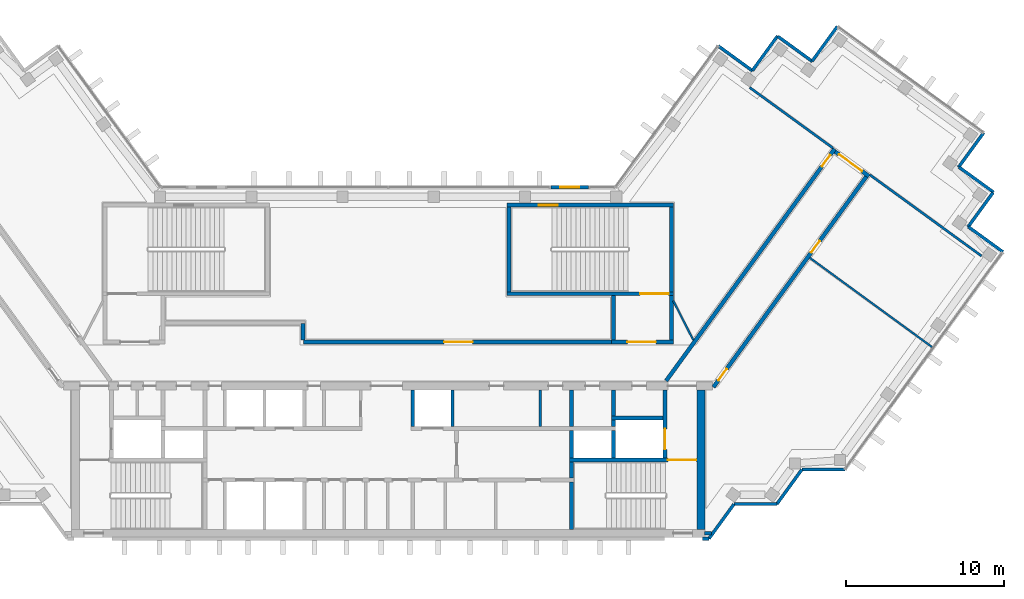
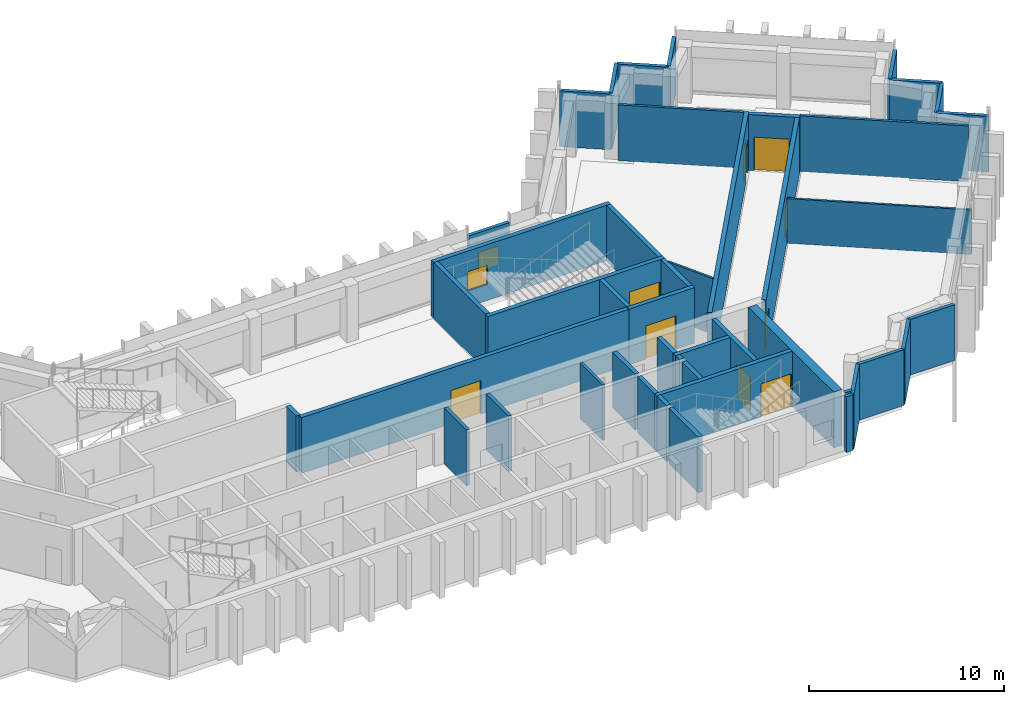
# One storey, part 10 of 13: 45 walls, 9 doors, 2 windows, 11 openings.
"""IFC4 building model written with IfcOpenShell, lengths in metres."""

from ifc_helpers import new_model, si_unit, direction, frame, frame_2d, origin, place, context, subcontext, project, spatial, rectangle, extrude, material, layer, layer_set, type_object, element, fill, save


model = new_model("IFC4")

# Units and contexts
model_context = context("Model", 3, precision=1e-05, world=origin(), true_north=direction((0.0, 1.0)))
body_context = subcontext(model_context, "Body", "Model", "MODEL_VIEW")
ifc_project = project(units=[si_unit("LENGTHUNIT", "METRE"), si_unit("AREAUNIT", "SQUARE_METRE"), si_unit("VOLUMEUNIT", "CUBIC_METRE"), si_unit("PLANEANGLEUNIT", "RADIAN"), si_unit("MASSUNIT", "GRAM", prefix="KILO")], contexts=[model_context])

# Site, building, storey
site_placement = place(None, origin())
site = spatial("IfcSite", under=ifc_project, at=site_placement, CompositionType="ELEMENT")
building_placement = place(site_placement, origin())
building = spatial("IfcBuilding", under=site, at=building_placement, Name="Quipu Civic Tower", CompositionType="ELEMENT")
storey_placement = place(building_placement, frame((0.0, 0.0, 269.0)))
storey = spatial("IfcBuildingStorey", under=building, at=storey_placement, Name="L63", CompositionType="ELEMENT", Elevation=269.0)

# Walls
ifc_material_1 = material(Name="Double gypsum plasterboard with mineral wool")
ifc_layer_1 = layer(ifc_material_1, 0.14990234375)
ifc_layer_set_1 = layer_set([ifc_layer_1], Name="Double gypsum plasterboard with mineral wool")
wall_type_1 = type_object("IfcWallType", Name="Acoustic partition 150 plasterboard", PredefinedType="PARTITIONING", material=ifc_layer_set_1)
wall_1_placement = place(storey_placement, frame((28.0732421875, 13.577880859375, 0.0), z_axis=(0.0, 0.0, 1.0), x_axis=(-0.809000932727, 0.587807358619, 0.0)))
element("IfcWall", 1, at=wall_1_placement, inside=storey, type_object=wall_type_1, Name="Partition P01", PredefinedType="PARTITIONING", context=body_context, shape_type="SweptSolid", body=[
    extrude(rectangle(XDim=6.49560546875, YDim=0.14990234375, at=frame_2d((3.247802734375, 0.0))), origin(), (0.0, 0.0, 1.0), 3.5),
])
wall_2_placement = place(storey_placement, frame((37.4580078125, 6.759765625, 0.0), z_axis=(0.0, 0.0, 1.0), x_axis=(-0.809016295501, 0.587786214209, 0.0)))
element("IfcWall", 2, at=wall_2_placement, inside=storey, type_object=wall_type_1, Name="Partition P02", PredefinedType="PARTITIONING", context=body_context, shape_type="SweptSolid", body=[
    extrude(rectangle(XDim=8.700439453125, YDim=0.14990234375, at=frame_2d((4.35009765625, 0.0))), origin(), (0.0, 0.0, 1.0), 3.5),
])
ifc_material_2 = material(Name="Concrete C70/85", Category="concrete")
ifc_layer_2 = layer(ifc_material_2, 0.25)
ifc_layer_set_2 = layer_set([ifc_layer_2], Name="Concrete C70/85")
wall_type_2 = type_object("IfcWallType", Name="Core wall 250", PredefinedType="SHEAR", material=ifc_layer_set_2)
wall_3_placement = place(storey_placement, frame((11.574951171875, -10.5, 0.0), z_axis=(0.0, 0.0, 1.0), x_axis=(0.0, 1.0, 0.0)))
element("IfcWall", 3, at=wall_3_placement, inside=storey, type_object=wall_type_2, Name="Core wall", PredefinedType="SHEAR", context=body_context, shape_type="SweptSolid", body=[
    extrude(rectangle(XDim=3.0, YDim=0.25, at=frame_2d((1.5, 0.0))), origin(), (0.0, 0.0, 1.0), 3.5),
])
wall_4_placement = place(storey_placement, frame((11.574951171875, -7.25, 0.0), z_axis=(0.0, 0.0, 1.0), x_axis=(0.0, 1.0, 0.0)))
element("IfcWall", 4, at=wall_4_placement, inside=storey, type_object=wall_type_2, Name="Core wall", PredefinedType="SHEAR", context=body_context, shape_type="SweptSolid", body=[
    extrude(rectangle(XDim=1.0, YDim=0.25, at=frame_2d((0.5, 0.0))), origin(), (0.0, 0.0, 1.0), 3.5),
])

# Wall, opening, door
wall_5_placement = place(storey_placement, frame((19.5, -6.125, 0.0), z_axis=(0.0, 0.0, 1.0), x_axis=(-1.0, 0.0, 0.0)))
wall_5 = element("IfcWall", 5, at=wall_5_placement, inside=storey, type_object=wall_type_2, Name="Core wall", PredefinedType="SHEAR", context=body_context, shape_type="SweptSolid", body=[
    extrude(rectangle(XDim=8.050048828125, YDim=0.25, at=frame_2d((4.02490234375, 0.0))), origin(), (0.0, 0.0, 1.0), 3.5),
])
opening_1_placement = place(wall_5_placement, frame((0.050048828125, 0.0, 0.0)))
opening_1 = element("IfcOpeningElement", 6, at=opening_1_placement, cuts=wall_5, Name="Opening CD-11", PredefinedType="OPENING", context=body_context, shape_type="SweptSolid", body=[
    extrude(rectangle(XDim=1.800048828125, YDim=2.10009765625, at=frame_2d((0.89990234375, 1.050048828125))), frame((0.0, 0.135009765625, 0.0), z_axis=(0.0, -1.0, 0.0), x_axis=(1.0, 0.0, 0.0)), (0.0, 0.0, 1.0), 0.27001953125),
])
ifc_material_3 = material(Name="Fire rated steel door", Category="steel")
door_type_1 = type_object("IfcDoorType", Name="Fire door FD90 double 1800 x 2100", OperationType="NOTDEFINED", PredefinedType="DOOR", material=ifc_material_3)
door_1_placement = place(opening_1_placement, origin())
door_1 = element("IfcDoor", 7, at=door_1_placement, inside=storey, type_object=door_type_1, Name="Door", OperationType="DOUBLE_DOOR_SINGLE_SWING", OverallHeight=2.10009765625, OverallWidth=1.800048828125, PredefinedType="DOOR", context=body_context, shape_type="SweptSolid", body=[
    extrude(rectangle(XDim=1.800048828125, YDim=2.10009765625, at=frame_2d((0.89990234375, 1.050048828125))), frame((0.0, 0.02490234375, 0.0), z_axis=(0.0, -1.0, 0.0), x_axis=(1.0, 0.0, 0.0)), (0.0, 0.0, 1.0), 0.050048828125),
])
fill(opening_1, door_1)

# Walls
for number, where, z_axis, x_axis, name in (
    (8, (11.574951171875, -6.0, 0.0), (0.0, 0.0, 1.0), (0.0, 1.0, 0.0), "Core wall"),
    (9, (14.22509765625, -6.0, 0.0), (0.0, 0.0, 1.0), (0.0, 1.0, 0.0), "Core wall"),
):
    element("IfcWall", number, at=place(storey_placement, frame(where, z_axis=z_axis, x_axis=x_axis)), inside=storey, type_object=wall_type_2, Name=name, PredefinedType="SHEAR", context=body_context, shape_type="SweptSolid", body=[
        extrude(rectangle(XDim=1.75, YDim=0.25, at=frame_2d((0.875, 0.0))), origin(), (0.0, 0.0, 1.0), 3.5),
    ])

# Wall, opening, door
wall_6_placement = place(storey_placement, frame((17.47509765625, -6.0, 0.0), z_axis=(0.0, 0.0, 1.0), x_axis=(0.0, 1.0, 0.0)))
wall_6 = element("IfcWall", 10, at=wall_6_placement, inside=storey, type_object=wall_type_2, Name="Core wall", PredefinedType="SHEAR", context=body_context, shape_type="SweptSolid", body=[
    extrude(rectangle(XDim=4.300048828125, YDim=0.25, at=frame_2d((2.14990234375, 0.0))), origin(), (0.0, 0.0, 1.0), 3.5),
])
opening_2_placement = place(wall_6_placement, frame((0.550048828125, 0.0, 0.0)))
opening_2 = element("IfcOpeningElement", 11, at=opening_2_placement, cuts=wall_6, Name="Opening LD-FF2", PredefinedType="OPENING", context=body_context, shape_type="SweptSolid", body=[
    extrude(rectangle(XDim=1.300048828125, YDim=2.10009765625, at=frame_2d((0.64990234375, 1.050048828125))), frame((0.0, 0.135009765625, 0.0), z_axis=(0.0, -1.0, 0.0), x_axis=(1.0, 0.0, 0.0)), (0.0, 0.0, 1.0), 0.27001953125),
])
ifc_material_4 = material(Name="Stainless steel", Category="steel")
door_type_2 = type_object("IfcDoorType", Name="Lift landing door 1300 x 2100", OperationType="DOUBLE_DOOR_SLIDING", PredefinedType="DOOR", material=ifc_material_4)
door_2_placement = place(opening_2_placement, origin())
door_2 = element("IfcDoor", 12, at=door_2_placement, inside=storey, type_object=door_type_2, Name="Landing door FF2", OperationType="DOUBLE_DOOR_SLIDING", OverallHeight=2.10009765625, OverallWidth=1.300048828125, PredefinedType="DOOR", context=body_context, shape_type="SweptSolid", body=[
    extrude(rectangle(XDim=1.300048828125, YDim=2.10009765625, at=frame_2d((0.64990234375, 1.050048828125))), frame((0.0, 0.02490234375, 0.0), z_axis=(0.0, -1.0, 0.0), x_axis=(1.0, 0.0, 0.0)), (0.0, 0.0, 1.0), 0.050048828125),
])
fill(opening_2, door_2)

# Walls
wall_7_placement = place(storey_placement, frame((11.574951171875, -4.0, 0.0), z_axis=(0.0, 0.0, 1.0), x_axis=(0.0, 1.0, 0.0)))
element("IfcWall", 13, at=wall_7_placement, inside=storey, type_object=wall_type_2, Name="Core wall", PredefinedType="SHEAR", context=body_context, shape_type="SweptSolid", body=[
    extrude(rectangle(XDim=2.300048828125, YDim=0.25, at=frame_2d((1.14990234375, 0.0))), origin(), (0.0, 0.0, 1.0), 3.5),
])
wall_8_placement = place(storey_placement, frame((14.22509765625, -4.0, 0.0), z_axis=(0.0, 0.0, 1.0), x_axis=(0.0, 1.0, 0.0)))
element("IfcWall", 14, at=wall_8_placement, inside=storey, type_object=wall_type_2, Name="Core wall", PredefinedType="SHEAR", context=body_context, shape_type="SweptSolid", body=[
    extrude(rectangle(XDim=0.39990234375, YDim=0.25, at=frame_2d((0.199951171875, 0.0))), origin(), (0.0, 0.0, 1.0), 3.5),
])
wall_9_placement = place(storey_placement, frame((14.10009765625, -3.47509765625, 0.0), z_axis=(0.0, 0.0, 1.0), x_axis=(1.0, 0.0, 0.0)))
element("IfcWall", 15, at=wall_9_placement, inside=storey, type_object=wall_type_2, Name="Core wall", PredefinedType="SHEAR", context=body_context, shape_type="SweptSolid", body=[
    extrude(rectangle(XDim=3.25, YDim=0.25, at=frame_2d((1.625, 0.0))), origin(), (0.0, 0.0, 1.0), 3.5),
])
wall_10_placement = place(storey_placement, frame((14.22509765625, -3.35009765625, 0.0), z_axis=(0.0, 0.0, 1.0), x_axis=(0.0, 1.0, 0.0)))
element("IfcWall", 16, at=wall_10_placement, inside=storey, type_object=wall_type_2, Name="Core wall", PredefinedType="SHEAR", context=body_context, shape_type="SweptSolid", body=[
    extrude(rectangle(XDim=1.650146484375, YDim=0.25, at=frame_2d((0.8251953125, 0.0))), origin(), (0.0, 0.0, 1.0), 3.5),
])

# Wall, opening, door
wall_11_placement = place(storey_placement, frame((14.10009765625, 1.324951171875, 0.0), z_axis=(0.0, 0.0, 1.0), x_axis=(1.0, 0.0, 0.0)))
wall_11 = element("IfcWall", 17, at=wall_11_placement, inside=storey, type_object=wall_type_2, Name="Core wall", PredefinedType="SHEAR", context=body_context, shape_type="SweptSolid", body=[
    extrude(rectangle(XDim=3.89990234375, YDim=0.25, at=frame_2d((1.949951171875, 0.0))), origin(), (0.0, 0.0, 1.0), 3.5),
])
opening_3_placement = place(wall_11_placement, frame((1.0, 0.0, 0.0)))
opening_3 = element("IfcOpeningElement", 18, at=opening_3_placement, cuts=wall_11, Name="Opening CD-28", PredefinedType="OPENING", context=body_context, shape_type="SweptSolid", body=[
    extrude(rectangle(XDim=1.800048828125, YDim=2.10009765625, at=frame_2d((0.89990234375, 1.050048828125))), frame((0.0, 0.135009765625, 0.0), z_axis=(0.0, -1.0, 0.0), x_axis=(1.0, 0.0, 0.0)), (0.0, 0.0, 1.0), 0.27001953125),
])
door_3_placement = place(opening_3_placement, origin())
door_3 = element("IfcDoor", 19, at=door_3_placement, inside=storey, type_object=door_type_1, Name="Lobby door", OperationType="DOUBLE_DOOR_SINGLE_SWING", OverallHeight=2.10009765625, OverallWidth=1.800048828125, PredefinedType="DOOR", context=body_context, shape_type="SweptSolid", body=[
    extrude(rectangle(XDim=1.800048828125, YDim=2.10009765625, at=frame_2d((0.89990234375, 1.050048828125))), frame((0.0, 0.02490234375, 0.0), z_axis=(0.0, -1.0, 0.0), x_axis=(1.0, 0.0, 0.0)), (0.0, 0.0, 1.0), 0.050048828125),
])
fill(opening_3, door_3)

# Walls
for number, where, z_axis, x_axis, name in (
    (20, (14.22509765625, 1.449951171875, 0.0), (0.0, 0.0, 1.0), (0.0, 1.0, 0.0), "Core wall"),
    (21, (17.875, 1.449951171875, 0.0), (0.0, 0.0, 1.0), (0.0, 1.0, 0.0), "Core wall"),
):
    element("IfcWall", number, at=place(storey_placement, frame(where, z_axis=z_axis, x_axis=x_axis)), inside=storey, type_object=wall_type_2, Name=name, PredefinedType="SHEAR", context=body_context, shape_type="SweptSolid", body=[
        extrude(rectangle(XDim=2.800048828125, YDim=0.25, at=frame_2d((1.39990234375, 0.0))), origin(), (0.0, 0.0, 1.0), 3.5),
    ])

# Wall, opening, door
wall_12_placement = place(storey_placement, frame((7.5, 4.375, 0.0), z_axis=(0.0, 0.0, 1.0), x_axis=(1.0, 0.0, 0.0)))
wall_12 = element("IfcWall", 22, at=wall_12_placement, inside=storey, type_object=wall_type_2, Name="Core wall", PredefinedType="SHEAR", context=body_context, shape_type="SweptSolid", body=[
    extrude(rectangle(XDim=10.5, YDim=0.25, at=frame_2d((5.25, 0.0))), origin(), (0.0, 0.0, 1.0), 3.5),
])
opening_4_placement = place(wall_12_placement, frame((8.39990234375, 0.0, 0.0)))
opening_4 = element("IfcOpeningElement", 23, at=opening_4_placement, cuts=wall_12, Name="Opening CD-29", PredefinedType="OPENING", context=body_context, shape_type="SweptSolid", body=[
    extrude(rectangle(XDim=1.800048828125, YDim=2.10009765625, at=frame_2d((0.89990234375, 1.050048828125))), frame((0.0, 0.135009765625, 0.0), z_axis=(0.0, -1.0, 0.0), x_axis=(1.0, 0.0, 0.0)), (0.0, 0.0, 1.0), 0.27001953125),
])
door_4_placement = place(opening_4_placement, origin())
door_4 = element("IfcDoor", 24, at=door_4_placement, inside=storey, type_object=door_type_1, Name="Door", OperationType="DOUBLE_DOOR_SINGLE_SWING", OverallHeight=2.10009765625, OverallWidth=1.800048828125, PredefinedType="DOOR", context=body_context, shape_type="SweptSolid", body=[
    extrude(rectangle(XDim=1.800048828125, YDim=2.10009765625, at=frame_2d((0.89990234375, 1.050048828125))), frame((0.0, 0.02490234375, 0.0), z_axis=(0.0, -1.0, 0.0), x_axis=(1.0, 0.0, 0.0)), (0.0, 0.0, 1.0), 0.050048828125),
])
fill(opening_4, door_4)

# Walls
for number, where, z_axis, x_axis, name in (
    (25, (7.625, 4.5, 0.0), (0.0, 0.0, 1.0), (0.0, 1.0, 0.0), "Core wall"),
    (26, (17.875, 4.5, 0.0), (0.0, 0.0, 1.0), (0.0, 1.0, 0.0), "Core wall"),
):
    element("IfcWall", number, at=place(storey_placement, frame(where, z_axis=z_axis, x_axis=x_axis)), inside=storey, type_object=wall_type_2, Name=name, PredefinedType="SHEAR", context=body_context, shape_type="SweptSolid", body=[
        extrude(rectangle(XDim=5.35009765625, YDim=0.25, at=frame_2d((2.675048828125, 0.0))), origin(), (0.0, 0.0, 1.0), 3.5),
    ])

# Wall, opening, window
wall_13_placement = place(storey_placement, frame((7.5, 9.97509765625, 0.0), z_axis=(0.0, 0.0, 1.0), x_axis=(1.0, 0.0, 0.0)))
wall_13 = element("IfcWall", 27, at=wall_13_placement, inside=storey, type_object=wall_type_2, Name="Core wall", PredefinedType="SHEAR", context=body_context, shape_type="SweptSolid", body=[
    extrude(rectangle(XDim=10.5, YDim=0.25, at=frame_2d((5.25, 0.0))), origin(), (0.0, 0.0, 1.0), 3.5),
])
opening_5_placement = place(wall_13_placement, frame((2.0, 0.0, 1.0)))
opening_5 = element("IfcOpeningElement", 28, at=opening_5_placement, cuts=wall_13, Name="Opening SV-4", PredefinedType="OPENING", context=body_context, shape_type="SweptSolid", body=[
    extrude(rectangle(XDim=1.199951171875, YDim=1.199951171875, at=frame_2d((0.60009765625, 0.60009765625))), frame((0.0, 0.135009765625, 0.0), z_axis=(0.0, -1.0, 0.0), x_axis=(1.0, 0.0, 0.0)), (0.0, 0.0, 1.0), 0.27001953125),
])
ifc_material_5 = material(Name="Aluminium louvre", Category="aluminium")
window_type_1 = type_object("IfcWindowType", Name="Stair ventilation louvre 1200 x 1200", PartitioningType="SINGLE_PANEL", PredefinedType="WINDOW", material=ifc_material_5)
window_1_placement = place(opening_5_placement, origin())
window_1 = element("IfcWindow", 29, at=window_1_placement, inside=storey, type_object=window_type_1, Name="Stair ventilation opening", OverallHeight=1.199951171875, OverallWidth=1.199951171875, PartitioningType="SINGLE_PANEL", PredefinedType="WINDOW", context=body_context, shape_type="SweptSolid", body=[
    extrude(rectangle(XDim=1.199951171875, YDim=1.199951171875, at=frame_2d((0.60009765625, 0.60009765625))), frame((0.0, 0.030029296875, 0.0), z_axis=(0.0, -1.0, 0.0), x_axis=(1.0, 0.0, 0.0)), (0.0, 0.0, 1.0), 0.06005859375),
])
fill(opening_5, window_1)

# Wall
ifc_material_6 = material(Name="Concrete C70/85", Category="concrete")
ifc_layer_3 = layer(ifc_material_6, 0.5)
ifc_layer_set_3 = layer_set([ifc_layer_3], Name="Concrete C70/85")
wall_type_3 = type_object("IfcWallType", Name="Core wall 500", PredefinedType="SHEAR", material=ifc_layer_set_3)
wall_14_placement = place(storey_placement, frame((19.75, -10.5, 0.0), z_axis=(0.0, 0.0, 1.0), x_axis=(0.0, 1.0, 0.0)))
element("IfcWall", 30, at=wall_14_placement, inside=storey, type_object=wall_type_3, Name="Core wall", PredefinedType="SHEAR", context=body_context, shape_type="SweptSolid", body=[
    extrude(rectangle(XDim=8.800048828125, YDim=0.5, at=frame_2d((4.39990234375, 0.0))), origin(), (0.0, 0.0, 1.0), 3.5),
])

# Wall, opening, door
ifc_material_7 = material(Name="Concrete C50/60", Category="concrete")
ifc_layer_4 = layer(ifc_material_7, 0.25)
ifc_layer_set_4 = layer_set([ifc_layer_4], Name="Concrete C50/60")
wall_type_4 = type_object("IfcWallType", Name="Corridor wall 250 concrete", PredefinedType="SOLIDWALL", material=ifc_layer_set_4)
wall_15_placement = place(storey_placement, frame((-5.34130859375, 1.324951171875, 0.0), z_axis=(0.0, 0.0, 1.0), x_axis=(1.0, 0.0, 0.0)))
wall_15 = element("IfcWall", 31, at=wall_15_placement, inside=storey, type_object=wall_type_4, Name="Corridor wall C01", PredefinedType="SOLIDWALL", context=body_context, shape_type="SweptSolid", body=[
    extrude(rectangle(XDim=19.431396484375, YDim=0.25, at=frame_2d((9.7158203125, 0.0))), origin(), (0.0, 0.0, 1.0), 3.5),
])
opening_6_placement = place(wall_15_placement, frame((8.8662109375, 0.0, 0.0)))
opening_6 = element("IfcOpeningElement", 32, at=opening_6_placement, cuts=wall_15, Name="Opening D005", PredefinedType="OPENING", context=body_context, shape_type="SweptSolid", body=[
    extrude(rectangle(XDim=1.800048828125, YDim=2.10009765625, at=frame_2d((0.89990234375, 1.050048828125))), frame((0.0, 0.135009765625, 0.0), z_axis=(0.0, -1.0, 0.0), x_axis=(1.0, 0.0, 0.0)), (0.0, 0.0, 1.0), 0.27001953125),
])
ifc_material_8 = material(Name="Fire rated timber door set with metal frame", Category="wood")
door_type_3 = type_object("IfcDoorType", Name="Double door 1800 x 2100 FD60", OperationType="DOUBLE_DOOR_SINGLE_SWING", PredefinedType="DOOR", material=ifc_material_8)
door_5_placement = place(opening_6_placement, origin())
door_5 = element("IfcDoor", 33, at=door_5_placement, inside=storey, type_object=door_type_3, Name="Door D005", OperationType="DOUBLE_DOOR_SINGLE_SWING", OverallHeight=2.10009765625, OverallWidth=1.800048828125, PredefinedType="DOOR", context=body_context, shape_type="SweptSolid", body=[
    extrude(rectangle(XDim=1.800048828125, YDim=2.10009765625, at=frame_2d((0.89990234375, 1.050048828125))), frame((0.0, 0.02490234375, 0.0), z_axis=(0.0, -1.0, 0.0), x_axis=(1.0, 0.0, 0.0)), (0.0, 0.0, 1.0), 0.050048828125),
])
fill(opening_6, door_5)

wall_16_placement = place(storey_placement, frame((17.544921875, -1.124755859375, 0.0), z_axis=(0.0, 0.0, 1.0), x_axis=(0.58779555165, 0.809009511354, 0.0)))
wall_16 = element("IfcWall", 34, at=wall_16_placement, inside=storey, type_object=wall_type_4, Name="Corridor wall C02", PredefinedType="SOLIDWALL", context=body_context, shape_type="SweptSolid", body=[
    extrude(rectangle(XDim=18.10302734375, YDim=0.25, at=frame_2d((9.051513671875, 0.0))), origin(), (0.0, 0.0, 1.0), 3.5),
])
opening_7_placement = place(wall_16_placement, frame((16.72802734375, 0.0, 0.0)))
opening_7 = element("IfcOpeningElement", 35, at=opening_7_placement, cuts=wall_16, Name="Opening D001", PredefinedType="OPENING", context=body_context, shape_type="SweptSolid", body=[
    extrude(rectangle(XDim=0.89990234375, YDim=2.10009765625, at=frame_2d((0.449951171875, 1.050048828125))), frame((0.0, 0.135009765625, 0.0), z_axis=(0.0, -1.0, 0.0), x_axis=(1.0, 0.0, 0.0)), (0.0, 0.0, 1.0), 0.27001953125),
])
ifc_material_9 = material(Name="Fire rated timber door set with metal frame", Category="wood")
door_type_4 = type_object("IfcDoorType", Name="Single door 900 x 2100 FD60", OperationType="NOTDEFINED", PredefinedType="DOOR", material=ifc_material_9)
door_6_placement = place(opening_7_placement, origin())
door_6 = element("IfcDoor", 36, at=door_6_placement, inside=storey, type_object=door_type_4, Name="Door D001", OperationType="SINGLE_SWING_RIGHT", OverallHeight=2.10009765625, OverallWidth=0.89990234375, PredefinedType="DOOR", context=body_context, shape_type="SweptSolid", body=[
    extrude(rectangle(XDim=0.89990234375, YDim=2.10009765625, at=frame_2d((0.449951171875, 1.050048828125))), frame((0.0, 0.02490234375, 0.0), z_axis=(0.0, -1.0, 0.0), x_axis=(1.0, 0.0, 0.0)), (0.0, 0.0, 1.0), 0.050048828125),
])
fill(opening_7, door_6)

wall_17_placement = place(storey_placement, frame((28.21337890625, 13.34619140625, 0.0), z_axis=(0.0, 0.0, 1.0), x_axis=(0.809006914995, -0.587799125119, 0.0)))
wall_17 = element("IfcWall", 37, at=wall_17_placement, inside=storey, type_object=wall_type_4, Name="Corridor wall C03", PredefinedType="SOLIDWALL", context=body_context, shape_type="SweptSolid", body=[
    extrude(rectangle(XDim=2.64990234375, YDim=0.25, at=frame_2d((1.324951171875, 0.0))), origin(), (0.0, 0.0, 1.0), 3.5),
])
opening_8_placement = place(wall_17_placement, frame((0.30029296875, 0.0, 0.0)))
opening_8 = element("IfcOpeningElement", 38, at=opening_8_placement, cuts=wall_17, Name="Opening D004", PredefinedType="OPENING", context=body_context, shape_type="SweptSolid", body=[
    extrude(rectangle(XDim=1.800048828125, YDim=2.10009765625, at=frame_2d((0.89990234375, 1.050048828125))), frame((0.0, 0.135009765625, 0.0), z_axis=(0.0, -1.0, 0.0), x_axis=(1.0, 0.0, 0.0)), (0.0, 0.0, 1.0), 0.27001953125),
])
door_7_placement = place(opening_8_placement, origin())
door_7 = element("IfcDoor", 39, at=door_7_placement, inside=storey, type_object=door_type_3, Name="Door D004", OperationType="DOUBLE_DOOR_SINGLE_SWING", OverallHeight=2.10009765625, OverallWidth=1.800048828125, PredefinedType="DOOR", context=body_context, shape_type="SweptSolid", body=[
    extrude(rectangle(XDim=1.800048828125, YDim=2.10009765625, at=frame_2d((0.89990234375, 1.050048828125))), frame((0.0, 0.02490234375, 0.0), z_axis=(0.0, -1.0, 0.0), x_axis=(1.0, 0.0, 0.0)), (0.0, 0.0, 1.0), 0.050048828125),
])
fill(opening_8, door_7)

# Wall, openings, doors
wall_18_placement = place(storey_placement, frame((30.1826171875, 11.760986328125, 0.0), z_axis=(0.0, 0.0, 1.0), x_axis=(-0.587781762867, -0.80901952958, 0.0)))
wall_18 = element("IfcWall", 40, at=wall_18_placement, inside=storey, type_object=wall_type_4, Name="Corridor wall C04", PredefinedType="SOLIDWALL", context=body_context, shape_type="SweptSolid", body=[
    extrude(rectangle(XDim=16.42041015625, YDim=0.25, at=frame_2d((8.210205078125, 0.0))), origin(), (0.0, 0.0, 1.0), 3.5),
])
opening_9_placement = place(wall_18_placement, frame((5.0048828125, 0.0, 0.0)))
opening_9 = element("IfcOpeningElement", 41, at=opening_9_placement, cuts=wall_18, Name="Opening D003", PredefinedType="OPENING", context=body_context, shape_type="SweptSolid", body=[
    extrude(rectangle(XDim=0.89990234375, YDim=2.10009765625, at=frame_2d((0.449951171875, 1.050048828125))), frame((0.0, 0.135009765625, 0.0), z_axis=(0.0, -1.0, 0.0), x_axis=(1.0, 0.0, 0.0)), (0.0, 0.0, 1.0), 0.27001953125),
])
opening_10_placement = place(wall_18_placement, frame((14.987548828125, 0.0, 0.0)))
opening_10 = element("IfcOpeningElement", 42, at=opening_10_placement, cuts=wall_18, Name="Opening D002", PredefinedType="OPENING", context=body_context, shape_type="SweptSolid", body=[
    extrude(rectangle(XDim=0.89990234375, YDim=2.10009765625, at=frame_2d((0.449951171875, 1.050048828125))), frame((0.0, 0.135009765625, 0.0), z_axis=(0.0, -1.0, 0.0), x_axis=(1.0, 0.0, 0.0)), (0.0, 0.0, 1.0), 0.27001953125),
])
door_8_placement = place(opening_9_placement, origin())
door_8 = element("IfcDoor", 43, at=door_8_placement, inside=storey, type_object=door_type_4, Name="Door D003", OperationType="SINGLE_SWING_RIGHT", OverallHeight=2.10009765625, OverallWidth=0.89990234375, PredefinedType="DOOR", context=body_context, shape_type="SweptSolid", body=[
    extrude(rectangle(XDim=0.89990234375, YDim=2.10009765625, at=frame_2d((0.449951171875, 1.050048828125))), frame((0.0, 0.02490234375, 0.0), z_axis=(0.0, -1.0, 0.0), x_axis=(1.0, 0.0, 0.0)), (0.0, 0.0, 1.0), 0.050048828125),
])
fill(opening_9, door_8)
door_9_placement = place(opening_10_placement, origin())
door_9 = element("IfcDoor", 44, at=door_9_placement, inside=storey, type_object=door_type_4, Name="Door D002", OperationType="SINGLE_SWING_RIGHT", OverallHeight=2.10009765625, OverallWidth=0.89990234375, PredefinedType="DOOR", context=body_context, shape_type="SweptSolid", body=[
    extrude(rectangle(XDim=0.89990234375, YDim=2.10009765625, at=frame_2d((0.449951171875, 1.050048828125))), frame((0.0, 0.02490234375, 0.0), z_axis=(0.0, -1.0, 0.0), x_axis=(1.0, 0.0, 0.0)), (0.0, 0.0, 1.0), 0.050048828125),
])
fill(opening_10, door_9)

# Walls
wall_19_placement = place(storey_placement, frame((-5.375, 2.483642578125, 0.0), z_axis=(0.0, 0.0, 1.0), x_axis=(0.0, -1.0, 0.0)))
element("IfcWall", 45, at=wall_19_placement, inside=storey, type_object=wall_type_4, Name="Corridor wall C08", PredefinedType="SOLIDWALL", context=body_context, shape_type="SweptSolid", body=[
    extrude(rectangle(XDim=1.030029296875, YDim=0.25, at=frame_2d((0.51513671875, 0.0))), origin(), (0.0, 0.0, 1.0), 3.5),
])
ifc_material_10 = material(Name="Gypsum plasterboard on light gauge framing")
ifc_layer_5 = layer(ifc_material_10, 0.1201171875)
ifc_layer_set_5 = layer_set([ifc_layer_5], Name="Gypsum plasterboard on light gauge framing")
wall_type_5 = type_object("IfcWallType", Name="Partition 120 plasterboard", PredefinedType="PARTITIONING", material=ifc_layer_set_5)
wall_20_placement = place(storey_placement, frame((26.618896484375, 6.643310546875, 0.0), z_axis=(0.0, 0.0, 1.0), x_axis=(0.807594822539, -0.589737740532, 0.0)))
element("IfcWall", 46, at=wall_20_placement, inside=storey, type_object=wall_type_5, Name="Partition P03", PredefinedType="PARTITIONING", context=body_context, shape_type="SweptSolid", body=[
    extrude(rectangle(XDim=9.550048828125, YDim=0.1201171875, at=frame_2d((4.77490234375, 0.0))), origin(), (0.0, 0.0, 1.0), 2.800048828125),
])
wall_21_placement = place(storey_placement, frame((18.0, 3.925048828125, 0.0), z_axis=(0.0, 0.0, 1.0), x_axis=(0.453950796792, -0.891026752736, 0.0)))
element("IfcWall", 47, at=wall_21_placement, inside=storey, type_object=wall_type_5, Name="Partition P05", PredefinedType="PARTITIONING", context=body_context, shape_type="SweptSolid", body=[
    extrude(rectangle(XDim=2.77783203125, YDim=0.1201171875, at=frame_2d((1.388916015625, 0.0))), origin(), (0.0, 0.0, 1.0), 3.5),
])
ifc_material_11 = material(Name="Gypsum board partition")
ifc_layer_6 = layer(ifc_material_11, 0.14990234375)
ifc_layer_set_6 = layer_set([ifc_layer_6], Name="Gypsum board partition")
wall_type_6 = type_object("IfcWallType", Name="Partition 150", PredefinedType="PARTITIONING", material=ifc_layer_set_6)
wall_22_placement = place(storey_placement, frame((9.60009765625, -4.0, 0.0), z_axis=(0.0, 0.0, 1.0), x_axis=(0.0, 1.0, 0.0)))
element("IfcWall", 48, at=wall_22_placement, inside=storey, type_object=wall_type_6, Name="Partition", PredefinedType="PARTITIONING", context=body_context, shape_type="SweptSolid", body=[
    extrude(rectangle(XDim=2.300048828125, YDim=0.14990234375, at=frame_2d((1.14990234375, 0.0))), origin(), (0.0, 0.0, 1.0), 3.5),
])
ifc_material_12 = material(Name="Precast concrete C40/50", Category="concrete")
wall_type_7 = type_object("IfcWallType", Name="Precast cladding wall", PredefinedType="SOLIDWALL", material=ifc_material_12)
wall_23_placement = place(storey_placement, frame((19.85009765625, -11.087890625, 0.0), z_axis=(0.0, 0.0, 1.0), x_axis=(1.0, 0.0, 0.0)))
element("IfcWall", 49, at=wall_23_placement, inside=storey, type_object=wall_type_7, Name="Precast cladding wall L63 P08", PredefinedType="SOLIDWALL", context=body_context, shape_type="SweptSolid", body=[
    extrude(rectangle(XDim=0.40576171875, YDim=0.199951171875, at=frame_2d((0.202880859375, 0.0))), origin(), (0.0, 0.0, 1.0), 3.5),
])
wall_24_placement = place(storey_placement, frame((20.253173828125, -11.083251953125, 0.0), z_axis=(0.0, 0.0, 1.0), x_axis=(0.587766567315, 0.809030569476, 0.0)))
element("IfcWall", 50, at=wall_24_placement, inside=storey, type_object=wall_type_7, Name="Precast cladding wall L63 P09", PredefinedType="SOLIDWALL", context=body_context, shape_type="SweptSolid", body=[
    extrude(rectangle(XDim=2.687744140625, YDim=0.199951171875, at=frame_2d((1.34375, 0.0))), origin(), (0.0, 0.0, 1.0), 3.5),
])
wall_25_placement = place(storey_placement, frame((21.8427734375, -8.90380859375, 0.0), z_axis=(0.0, 0.0, 1.0), x_axis=(1.0, 0.0, 0.0)))
element("IfcWall", 51, at=wall_25_placement, inside=storey, type_object=wall_type_7, Name="Precast cladding wall L63 P10", PredefinedType="SOLIDWALL", context=body_context, shape_type="SweptSolid", body=[
    extrude(rectangle(XDim=2.699951171875, YDim=0.199951171875, at=frame_2d((1.35009765625, 0.0))), origin(), (0.0, 0.0, 1.0), 3.5),
])
wall_26_placement = place(storey_placement, frame((24.533203125, -8.90869140625, 0.0), z_axis=(0.0, 0.0, 1.0), x_axis=(0.587720002413, 0.809064397168, 0.0)))
element("IfcWall", 52, at=wall_26_placement, inside=storey, type_object=wall_type_7, Name="Precast cladding wall L63 P11", PredefinedType="SOLIDWALL", context=body_context, shape_type="SweptSolid", body=[
    extrude(rectangle(XDim=2.7001953125, YDim=0.199951171875, at=frame_2d((1.35009765625, 0.0))), origin(), (0.0, 0.0, 1.0), 3.5),
])
for number, where, z_axis, x_axis, name in (
    (53, (26.1298828125, -6.71923828125, 0.0), (0.0, 0.0, 1.0), (1.0, 0.0, 0.0), "Precast cladding wall L63 P12"),
    (54, (38.813720703125, 7.010498046875, 0.0), (0.0, 0.0, 1.0), (-0.809033161865, 0.587762999008, 0.0), "Precast cladding wall L63 P14"),
    (55, (36.60205078125, 8.580322265625, 0.0), (0.0, 0.0, 1.0), (0.587822180636, 0.808990163075, 0.0), "Precast cladding wall L63 P15"),
    (56, (38.21630859375, 10.78173828125, 0.0), (0.0, 0.0, 1.0), (-0.809033161865, 0.587762999008, 0.0), "Precast cladding wall L63 P16"),
    (57, (36.0048828125, 12.3515625, 0.0), (0.0, 0.0, 1.0), (0.587762999008, 0.809033161865, 0.0), "Precast cladding wall L63 P17"),
):
    element("IfcWall", number, at=place(storey_placement, frame(where, z_axis=z_axis, x_axis=x_axis)), inside=storey, type_object=wall_type_7, Name=name, PredefinedType="SOLIDWALL", context=body_context, shape_type="SweptSolid", body=[
        extrude(rectangle(XDim=2.699951171875, YDim=0.199951171875, at=frame_2d((1.35009765625, 0.0))), origin(), (0.0, 0.0, 1.0), 3.5),
    ])
for number, where, z_axis, x_axis, name in (
    (58, (28.3544921875, 21.247314453125, 0.0), (0.0, 0.0, 1.0), (-0.587720002413, -0.809064397168, 0.0), "Precast cladding wall L63 P19"),
    (59, (26.78466796875, 19.03564453125, 0.0), (0.0, 0.0, 1.0), (-0.809064397168, 0.587720002413, 0.0), "Precast cladding wall L63 P20"),
):
    element("IfcWall", number, at=place(storey_placement, frame(where, z_axis=z_axis, x_axis=x_axis)), inside=storey, type_object=wall_type_7, Name=name, PredefinedType="SOLIDWALL", context=body_context, shape_type="SweptSolid", body=[
        extrude(rectangle(XDim=2.7001953125, YDim=0.199951171875, at=frame_2d((1.35009765625, 0.0))), origin(), (0.0, 0.0, 1.0), 3.5),
    ])
for number, where, z_axis, x_axis, name in (
    (60, (24.583251953125, 20.64990234375, 0.0), (0.0, 0.0, 1.0), (-0.587762999008, -0.809033161865, 0.0), "Precast cladding wall L63 P21"),
    (61, (23.01318359375, 18.438232421875, 0.0), (0.0, 0.0, 1.0), (-0.808990163075, 0.587822180636, 0.0), "Precast cladding wall L63 P22"),
):
    element("IfcWall", number, at=place(storey_placement, frame(where, z_axis=z_axis, x_axis=x_axis)), inside=storey, type_object=wall_type_7, Name=name, PredefinedType="SOLIDWALL", context=body_context, shape_type="SweptSolid", body=[
        extrude(rectangle(XDim=2.699951171875, YDim=0.199951171875, at=frame_2d((1.35009765625, 0.0))), origin(), (0.0, 0.0, 1.0), 3.5),
    ])

# Wall, opening, window
wall_27_placement = place(storey_placement, frame((12.655029296875, 11.10009765625, 0.0), z_axis=(0.0, 0.0, 1.0), x_axis=(-1.0, 0.0, 0.0)))
wall_27 = element("IfcWall", 62, at=wall_27_placement, inside=storey, type_object=wall_type_7, Name="Vent surround SF-L62-2", PredefinedType="SOLIDWALL", context=body_context, shape_type="SweptSolid", body=[
    extrude(rectangle(XDim=2.3916015625, YDim=0.199951171875, at=frame_2d((1.19580078125, 0.0))), origin(), (0.0, 0.0, 1.0), 3.5),
])
opening_11_placement = place(wall_27_placement, frame((0.595703125, 0.0, 1.0)))
opening_11 = element("IfcOpeningElement", 63, at=opening_11_placement, cuts=wall_27, Name="Opening SF-L62-2", PredefinedType="OPENING", context=body_context, shape_type="SweptSolid", body=[
    extrude(rectangle(XDim=1.199951171875, YDim=1.199951171875, at=frame_2d((0.60009765625, 0.60009765625))), frame((0.0, 0.10986328125, 0.0), z_axis=(0.0, -1.0, 0.0), x_axis=(1.0, 0.0, 0.0)), (0.0, 0.0, 1.0), 0.219970703125),
])
ifc_material_13 = material(Name="Anodised aluminium louvre", Category="aluminium")
window_type_2 = type_object("IfcWindowType", Name="Stair vent louvre window P3", PartitioningType="SINGLE_PANEL", PredefinedType="WINDOW", material=ifc_material_13)
window_2_placement = place(opening_11_placement, origin())
window_2 = element("IfcWindow", 64, at=window_2_placement, inside=storey, type_object=window_type_2, Name="Stair vent louvre SF-L62-2", OverallHeight=1.199951171875, OverallWidth=1.199951171875, PartitioningType="SINGLE_PANEL", PredefinedType="WINDOW", context=body_context, shape_type="SweptSolid", body=[
    extrude(rectangle(XDim=1.199951171875, YDim=1.199951171875, at=frame_2d((0.60009765625, 0.60009765625))), frame((0.0, 0.030029296875, 0.0), z_axis=(0.0, -1.0, 0.0), x_axis=(1.0, 0.0, 0.0)), (0.0, 0.0, 1.0), 0.06005859375),
])
fill(opening_11, window_2)

# Walls
wall_28_placement = place(storey_placement, frame((19.97998046875, -10.75, 0.0), z_axis=(0.0, 0.0, 1.0), x_axis=(1.0, 0.0, 0.0)))
element("IfcWall", 65, at=wall_28_placement, inside=storey, type_object=wall_type_7, Name="Precast cladding return L63 E", PredefinedType="SOLIDWALL", context=body_context, shape_type="SweptSolid", body=[
    extrude(rectangle(XDim=0.41650390625, YDim=0.199951171875, at=frame_2d((0.208251953125, 0.0))), origin(), (0.0, 0.0, 1.0), 3.5),
])
ifc_material_14 = material(Name="Concrete C40/50", Category="concrete")
ifc_layer_7 = layer(ifc_material_14, 0.199951171875)
ifc_layer_set_7 = layer_set([ifc_layer_7], Name="Concrete C40/50")
wall_type_8 = type_object("IfcWallType", Name="Shaft wall 200", PredefinedType="SOLIDWALL", material=ifc_layer_set_7)
for number, where, z_axis, x_axis, name in (
    (66, (1.550048828125, -4.0, 0.0), (0.0, 0.0, 1.0), (0.0, 1.0, 0.0), "Shaft wall"),
    (67, (4.050048828125, -4.0, 0.0), (0.0, 0.0, 1.0), (0.0, 1.0, 0.0), "Shaft wall"),
):
    element("IfcWall", number, at=place(storey_placement, frame(where, z_axis=z_axis, x_axis=x_axis)), inside=storey, type_object=wall_type_8, Name=name, PredefinedType="SOLIDWALL", context=body_context, shape_type="SweptSolid", body=[
        extrude(rectangle(XDim=2.300048828125, YDim=0.199951171875, at=frame_2d((1.14990234375, 0.0))), origin(), (0.0, 0.0, 1.0), 3.5),
    ])

save(model, "model.ifc")
